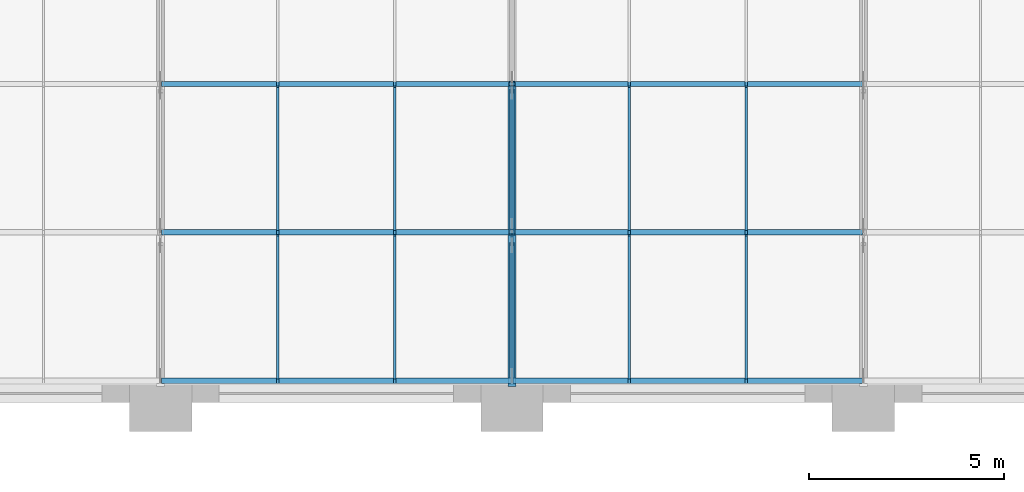
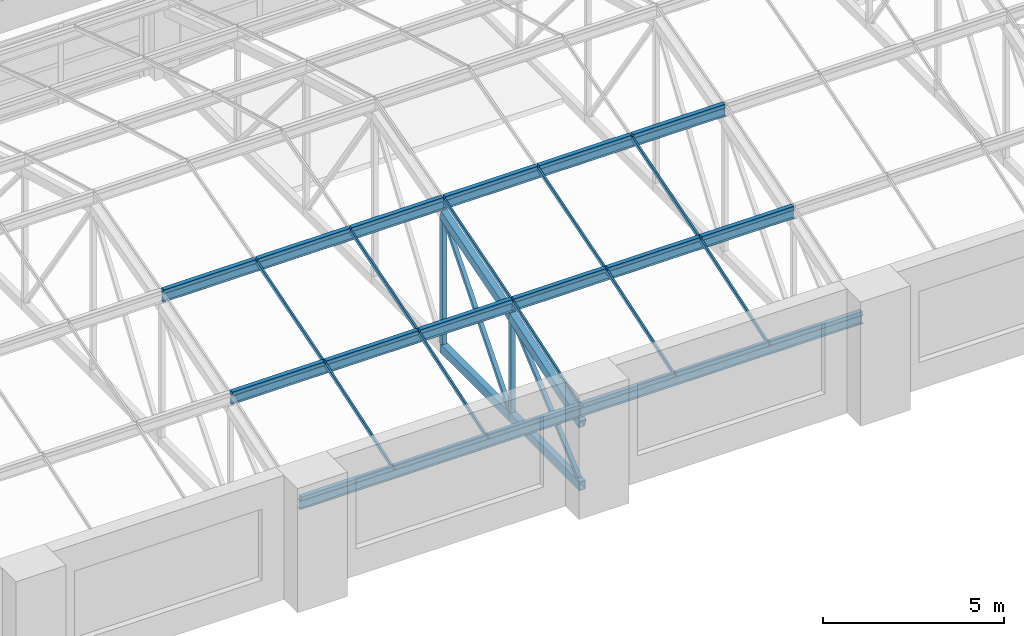
# One storey, part 12 of 82: 42 members, 1 element without a shape of its own.
"""IFC4 building model written with IfcOpenShell, lengths in metres."""

import ifcopenshell
import ifcopenshell.guid

model = None  # the IFC model being written
_history = None  # IfcOwnerHistory: only IFC2X3 demands one
_inside = {}  # id of a spatial element -> (the spatial element, [elements in it])
_under = {}  # id of a project, library or spatial element -> (it, [spatial elements below it])
_declared = {}  # id of a project -> (the project, [libraries it declares])
_typed = {}  # id of a type object -> (the type object, [elements of that type])
_made_of = {}  # id of a material, layer set ... -> (it, [elements and type objects made of it])


def new_model(schema):
    """Start an empty IFC model of exactly this schema.

    Asked for "IFC4X3", IfcOpenShell would pick the latest addendum, in which some entities
    have other attributes; the version numbers below select the first issue.
    IFC2X3 requires an IfcOwnerHistory on every rooted entity: one is made here for all.
    """
    global model, _history
    if schema == "IFC4X3":
        model = ifcopenshell.file(schema_version=(4, 3, 0, 0))
    else:
        model = ifcopenshell.file(schema=schema)
    _inside.clear()
    _under.clear()
    _declared.clear()
    _typed.clear()
    _made_of.clear()
    _history = None
    if model.schema == "IFC2X3":
        org = make("IfcOrganization", Name="unknown")
        user = make(
            "IfcPersonAndOrganization",
            ThePerson=make("IfcPerson", FamilyName="unknown"),
            TheOrganization=org,
        )
        app = make(
            "IfcApplication",
            ApplicationDeveloper=org,
            Version="unknown",
            ApplicationFullName="unknown",
            ApplicationIdentifier="unknown",
        )
        _history = make(
            "IfcOwnerHistory",
            OwningUser=user,
            OwningApplication=app,
            ChangeAction="ADDED",
            CreationDate=0,
        )
    return model


def make(cls, **values):
    """One entity of the class cls with the attributes given. An attribute that is None is left unset."""
    return model.create_entity(
        cls, **{name: value for name, value in values.items() if value is not None}
    )


def rooted(cls, **values):
    """An entity with a GlobalId (a new one), such as an element, a storey or a relation."""
    return make(cls, GlobalId=ifcopenshell.guid.new(), OwnerHistory=_history, **values)


def si_unit(unit_type, name, prefix=None):
    """IfcSIUnit, for example si_unit("LENGTHUNIT", "METRE", prefix="MILLI")."""
    return make("IfcSIUnit", UnitType=unit_type, Prefix=prefix, Name=name)


def assignment(units):
    """IfcUnitAssignment: the units of a project."""
    return None if units is None else make("IfcUnitAssignment", Units=units)


def point(xyz):
    """IfcCartesianPoint."""
    return None if xyz is None else make("IfcCartesianPoint", Coordinates=xyz)


def direction(xyz):
    """IfcDirection."""
    return None if xyz is None else make("IfcDirection", DirectionRatios=xyz)


def frame(location, z_axis=None, x_axis=None):
    """IfcAxis2Placement3D, a coordinate frame: its origin and axes. An axis left out is left unset."""
    return make(
        "IfcAxis2Placement3D",
        Location=point(location),
        Axis=direction(z_axis),
        RefDirection=direction(x_axis),
    )


def frame_2d(location, x_axis=None):
    """IfcAxis2Placement2D, a coordinate frame in the plane: its origin and x axis."""
    return make(
        "IfcAxis2Placement2D", Location=point(location), RefDirection=direction(x_axis)
    )


def origin():
    """The frame at (0, 0, 0) with its axes left unset."""
    return frame((0.0, 0.0, 0.0))


def origin_2d():
    """The frame at (0, 0) in the plane with its x axis left unset."""
    return frame_2d((0.0, 0.0))


def place(relative_to, where):
    """IfcLocalPlacement: puts the frame where relative to a parent placement (None: the world)."""
    return make(
        "IfcLocalPlacement", PlacementRelTo=relative_to, RelativePlacement=where
    )


def context(
    kind, dimensions, precision=None, world=None, true_north=None, identifier=None
):
    """IfcGeometricRepresentationContext, for example the 3D "Model" context."""
    return make(
        "IfcGeometricRepresentationContext",
        ContextIdentifier=identifier,
        ContextType=kind,
        CoordinateSpaceDimension=dimensions,
        Precision=precision,
        WorldCoordinateSystem=world,
        TrueNorth=true_north,
    )


def subcontext(parent, identifier, kind, view, scale=None):
    """IfcGeometricRepresentationSubContext, for example "Body" below "Model"."""
    return make(
        "IfcGeometricRepresentationSubContext",
        ContextIdentifier=identifier,
        ContextType=kind,
        ParentContext=parent,
        TargetScale=scale,
        TargetView=view,
    )


def project(units=None, contexts=None):
    """IfcProject with its units and contexts."""
    return rooted(
        "IfcProject",
        Name="project",
        RepresentationContexts=contexts,
        UnitsInContext=assignment(units),
    )


def spatial(cls, under=None, at=None, **own):
    """A site, building, storey or space (cls), placed at a placement, below another one or the project."""
    s = rooted(cls, ObjectPlacement=at, **own)
    if under is not None:
        _under.setdefault(under.id(), (under, []))[1].append(s)
    return s


def profile(cls, at=None, kind="AREA", **sizes):
    """A parametric profile (cls). Its sizes go by their IFC names, for example OverallWidth=200.0."""
    return make(cls, ProfileType=kind, Position=at, **sizes)


def rectangle(**sizes):
    """IfcRectangleProfileDef."""
    return profile("IfcRectangleProfileDef", **sizes)


def hollow_rectangle(**sizes):
    """IfcRectangleHollowProfileDef."""
    return profile("IfcRectangleHollowProfileDef", **sizes)


def i_section(**sizes):
    """IfcIShapeProfileDef."""
    return profile("IfcIShapeProfileDef", **sizes)


def extrude(swept, where, along, depth):
    """IfcExtrudedAreaSolid: the profile swept, set in the frame where, extruded along a direction by depth."""
    return make(
        "IfcExtrudedAreaSolid",
        SweptArea=swept,
        Position=where,
        ExtrudedDirection=direction(along),
        Depth=depth,
    )


def shape(context_of_items, identifier, shape_type, items):
    """IfcShapeRepresentation: the items that make up one representation, for example the "Body"."""
    return make(
        "IfcShapeRepresentation",
        ContextOfItems=context_of_items,
        RepresentationIdentifier=identifier,
        RepresentationType=shape_type,
        Items=items,
    )


def material(Name=None, Category=None):
    """IfcMaterial."""
    return make("IfcMaterial", Name=Name, Category=Category)


def material_profile(
    of_material, cross_section, Name=None, Category=None, Priority=None
):
    """IfcMaterialProfile: a cross section and its material."""
    return make(
        "IfcMaterialProfile",
        Name=Name,
        Material=of_material,
        Profile=cross_section,
        Priority=Priority,
        Category=Category,
    )


def profile_set(profiles, Name=None, composite=None):
    """IfcMaterialProfileSet."""
    return make(
        "IfcMaterialProfileSet",
        Name=Name,
        MaterialProfiles=profiles,
        CompositeProfile=composite,
    )


def made_of(thing, what):
    """Note that an element or type object is made of a material, layer set ...; save() writes the relation."""
    if what is not None:
        _made_of.setdefault(what.id(), (what, []))[1].append(thing)
    return thing


def type_object(cls, material=None, **own):
    """A type object (cls), such as IfcWallType, which elements share."""
    return made_of(rooted(cls, **own), material)


def element(
    cls,
    number,
    at=None,
    inside=None,
    cuts=None,
    type_object=None,
    material=None,
    context=None,
    identifier="Body",
    shape_type=None,
    held_by="IfcProductDefinitionShape",
    body=None,
    shapes=None,
    **own,
):
    """One element of the class cls, such as IfcWall. Its Tag is "e" and its number.

    at: its placement. inside: the storey or other place that contains it. cuts: it is an
    opening in that element (IfcRelVoidsElement). A single representation is given by context,
    identifier, shape_type and body (its items); several are given by shapes. held_by: the class
    of the entity that holds the representations. save() writes the other relations.
    """
    e = rooted(cls, Tag="e%d" % number, ObjectPlacement=at, **own)
    if body is not None:
        shapes = [shape(context, identifier, shape_type, body)]
    if shapes is not None:
        e.Representation = make(held_by, Representations=shapes)
    if inside is not None:
        _inside.setdefault(inside.id(), (inside, []))[1].append(e)
    if cuts is not None:
        rooted(
            "IfcRelVoidsElement", RelatingBuildingElement=cuts, RelatedOpeningElement=e
        )
    if type_object is not None:
        _typed.setdefault(type_object.id(), (type_object, []))[1].append(e)
    return made_of(e, material)


def aggregate(whole, parts):
    """IfcRelAggregates: a whole, such as a stair, and the parts it consists of."""
    return rooted("IfcRelAggregates", RelatingObject=whole, RelatedObjects=parts)


def save(model, path):
    """Write the relations noted so far, then the file.

    IfcRelAggregates (storeys below a building ...), IfcRelContainedInSpatialStructure (elements
    in a storey), IfcRelDefinesByType, IfcRelAssociatesMaterial and IfcRelDeclares: one each for
    every whole, place, type object, material and project.
    """
    for whole, parts in _under.values():
        aggregate(whole, parts)
    for where, things in _inside.values():
        rooted(
            "IfcRelContainedInSpatialStructure",
            RelatedElements=things,
            RelatingStructure=where,
        )
    for kind, things in _typed.values():
        rooted("IfcRelDefinesByType", RelatedObjects=things, RelatingType=kind)
    for what, things in _made_of.values():
        rooted("IfcRelAssociatesMaterial", RelatedObjects=things, RelatingMaterial=what)
    for by, libraries in _declared.values():
        rooted("IfcRelDeclares", RelatingContext=by, RelatedDefinitions=libraries)
    model.write(path)


model = new_model("IFC4")

# Units and contexts
model_context = context("Model", 3, precision=1e-05, world=origin(), true_north=direction((0.0, 1.0)))
body_context = subcontext(model_context, "Body", "Model", "MODEL_VIEW")
ifc_project = project(units=[si_unit("LENGTHUNIT", "METRE"), si_unit("AREAUNIT", "SQUARE_METRE"), si_unit("VOLUMEUNIT", "CUBIC_METRE"), si_unit("PLANEANGLEUNIT", "RADIAN"), si_unit("MASSUNIT", "GRAM", prefix="KILO")], contexts=[model_context])

# Site, building, storey
site_placement = place(None, origin())
site = spatial("IfcSite", under=ifc_project, at=site_placement, CompositionType="ELEMENT")
building_placement = place(site_placement, origin())
building = spatial("IfcBuilding", under=site, at=building_placement, Name="Aravalli Gate Trade Fair Centre", CompositionType="ELEMENT")
storey_placement = place(building_placement, frame((0.0, 0.0, 19.199951171875)))
storey = spatial("IfcBuildingStorey", under=building, at=storey_placement, Name="L04", CompositionType="ELEMENT", Elevation=19.199951171875)

# Members
ifc_material_1 = material(Name="Steel E350", Category="steel")
ifc_material_profile_1 = material_profile(ifc_material_1, i_section(OverallWidth=0.139892578125, OverallDepth=0.300048828125, WebThickness=0.0078125, FlangeThickness=0.01318359375, at=origin_2d()), Name="ISMB 300")
ifc_profile_set_1 = profile_set([ifc_material_profile_1], Name="Steel E350")
member_type_1 = type_object("IfcMemberType", Name="ISMB 300 roof purlin", PredefinedType="PURLIN", material=ifc_profile_set_1)
for number, where, z_axis, x_axis, name in (
    (1, (42.0, 109.699951171875, 2.60302734375), (1.0, 0.0, 0.0), (0.0, 1.0, 0.0), "Vault purlin 05-06 F0"),
    (2, (42.0, 113.5, 3.851318359375), (1.0, 0.0, 0.0), (0.0, 1.0, 0.0), "Vault purlin 05-06 F1"),
    (3, (42.0, 117.300048828125, 4.999267578125), (1.0, 0.0, 0.0), (0.0, 1.0, 0.0), "Vault purlin 05-06 F2"),
    (4, (51.0, 109.699951171875, 2.60302734375), (1.0, 0.0, 0.0), (0.0, 1.0, 0.0), "Vault purlin 06-07 F0"),
    (5, (51.0, 113.5, 3.851318359375), (1.0, 0.0, 0.0), (0.0, 1.0, 0.0), "Vault purlin 06-07 F1"),
    (6, (51.0, 117.300048828125, 4.999267578125), (1.0, 0.0, 0.0), (0.0, 1.0, 0.0), "Vault purlin 06-07 F2"),
):
    element("IfcMember", number, at=place(storey_placement, frame(where, z_axis=z_axis, x_axis=x_axis)), inside=storey, type_object=member_type_1, Name=name, PredefinedType="PURLIN", context=body_context, shape_type="SweptSolid", body=[
        extrude(i_section(OverallWidth=0.139892578125, OverallDepth=0.300048828125, WebThickness=0.0078125, FlangeThickness=0.01318359375, at=origin_2d()), origin(), (0.0, 0.0, 1.0), 9.0),
    ])
ifc_material_profile_2 = material_profile(ifc_material_1, hollow_rectangle(XDim=0.199951171875, YDim=0.300048828125, WallThickness=0.011962890625, at=origin_2d()), Name="RHS 300x200x12")
ifc_profile_set_2 = profile_set([ifc_material_profile_2], Name="Steel E350")
member_type_2 = type_object("IfcMemberType", Name="RHS 300x200x12 CT1 truss chord", PredefinedType="CHORD", material=ifc_profile_set_2)
member_1_placement = place(storey_placement, frame((51.0, 109.60009765625, 2.2392578125), z_axis=(0.0, 0.949918822061, 0.312496770373), x_axis=(-1.0, 0.0, 0.0)))
element("IfcMember", 7, at=member_1_placement, inside=storey, type_object=member_type_2, Name="Concourse vault truss CT1 line 06 top chord T1", PredefinedType="CHORD", context=body_context, shape_type="SweptSolid", body=[
    extrude(hollow_rectangle(XDim=0.199951171875, YDim=0.300048828125, WallThickness=0.011962890625, at=origin_2d()), origin(), (0.0, 0.0, 1.0), 4.10546875),
])
member_2_placement = place(storey_placement, frame((51.0, 109.60009765625, 0.150146484375), z_axis=(0.0, 1.0, 0.0), x_axis=(-1.0, 0.0, 0.0)))
element("IfcMember", 8, at=member_2_placement, inside=storey, type_object=member_type_2, Name="Concourse vault truss CT1 line 06 bottom chord B1", PredefinedType="CHORD", context=body_context, shape_type="SweptSolid", body=[
    extrude(hollow_rectangle(XDim=0.199951171875, YDim=0.300048828125, WallThickness=0.011962890625, at=origin_2d()), origin(), (0.0, 0.0, 1.0), 3.89990234375),
])
member_3_placement = place(storey_placement, frame((51.0, 113.5, 3.5234375), z_axis=(0.0, 0.957138110877, 0.289631898634), x_axis=(-1.0, 0.0, 0.0)))
element("IfcMember", 9, at=member_3_placement, inside=storey, type_object=member_type_2, Name="Concourse vault truss CT1 line 06 top chord T2", PredefinedType="CHORD", context=body_context, shape_type="SweptSolid", body=[
    extrude(hollow_rectangle(XDim=0.199951171875, YDim=0.300048828125, WallThickness=0.011962890625, at=origin_2d()), origin(), (0.0, 0.0, 1.0), 3.97021484375),
])
member_4_placement = place(storey_placement, frame((51.0, 113.5, 0.150146484375), z_axis=(0.0, 1.0, 0.0), x_axis=(-1.0, 0.0, 0.0)))
element("IfcMember", 10, at=member_4_placement, inside=storey, type_object=member_type_2, Name="Concourse vault truss CT1 line 06 bottom chord B2", PredefinedType="CHORD", context=body_context, shape_type="SweptSolid", body=[
    extrude(hollow_rectangle(XDim=0.199951171875, YDim=0.300048828125, WallThickness=0.011962890625, at=origin_2d()), origin(), (0.0, 0.0, 1.0), 3.800048828125),
])
ifc_material_profile_3 = material_profile(ifc_material_1, hollow_rectangle(XDim=0.125, YDim=0.125, WallThickness=0.006103515625, at=origin_2d()), Name="SHS 125x125x6")
ifc_profile_set_3 = profile_set([ifc_material_profile_3], Name="Steel E350")
member_type_3 = type_object("IfcMemberType", Name="SHS 125x125x6 CT1 truss diagonal", PredefinedType="BRACE", material=ifc_profile_set_3)
member_5_placement = place(storey_placement, frame((51.0, 109.7734375, 0.300048828125), z_axis=(0.0, 0.756430814482, 0.654073713661), x_axis=(-1.0, 0.0, 0.0)))
element("IfcMember", 11, at=member_5_placement, inside=storey, type_object=member_type_3, Name="Concourse vault truss CT1 line 06 diagonal D1", PredefinedType="BRACE", context=body_context, shape_type="SweptSolid", body=[
    extrude(hollow_rectangle(XDim=0.125, YDim=0.125, WallThickness=0.006103515625, at=origin_2d()), origin(), (0.0, 0.0, 1.0), 4.53662109375),
])
member_6_placement = place(storey_placement, frame((51.0, 113.6259765625, 0.300048828125), z_axis=(0.0, 0.643253159982, 0.765653558845), x_axis=(-1.0, 0.0, 0.0)))
element("IfcMember", 12, at=member_6_placement, inside=storey, type_object=member_type_3, Name="Concourse vault truss CT1 line 06 diagonal D2", PredefinedType="BRACE", context=body_context, shape_type="SweptSolid", body=[
    extrude(hollow_rectangle(XDim=0.125, YDim=0.125, WallThickness=0.006103515625, at=origin_2d()), origin(), (0.0, 0.0, 1.0), 5.437255859375),
])
ifc_material_profile_4 = material_profile(ifc_material_1, hollow_rectangle(XDim=0.14990234375, YDim=0.14990234375, WallThickness=0.006103515625, at=origin_2d()), Name="SHS 150x150x6")
ifc_profile_set_4 = profile_set([ifc_material_profile_4], Name="Steel E350")
member_type_4 = type_object("IfcMemberType", Name="SHS 150x150x6 CT1 truss post", PredefinedType="POST", material=ifc_profile_set_4)
member_7_placement = place(storey_placement, frame((51.0, 113.5, 0.300048828125), z_axis=(0.0, 0.0, 1.0), x_axis=(1.0, 0.0, 0.0)))
element("IfcMember", 13, at=member_7_placement, inside=storey, type_object=member_type_4, Name="Concourse vault truss CT1 line 06 post V1", PredefinedType="POST", context=body_context, shape_type="SweptSolid", body=[
    extrude(hollow_rectangle(XDim=0.14990234375, YDim=0.14990234375, WallThickness=0.006103515625, at=origin_2d()), origin(), (0.0, 0.0, 1.0), 3.064208984375),
])
member_8_placement = place(storey_placement, frame((51.0, 117.300048828125, 0.300048828125), z_axis=(0.0, 0.0, 1.0), x_axis=(1.0, 0.0, 0.0)))
element("IfcMember", 14, at=member_8_placement, inside=storey, type_object=member_type_4, Name="Concourse vault truss CT1 line 06 post V2", PredefinedType="POST", context=body_context, shape_type="SweptSolid", body=[
    extrude(hollow_rectangle(XDim=0.14990234375, YDim=0.14990234375, WallThickness=0.006103515625, at=origin_2d()), origin(), (0.0, 0.0, 1.0), 4.216552734375),
])
ifc_material_2 = material(Name="Aluminium", Category="aluminium")
ifc_material_profile_5 = material_profile(ifc_material_2, rectangle(XDim=0.139892578125, YDim=0.1201171875, at=origin_2d()), Name="Vault fold cap 140 x 120")
ifc_profile_set_5 = profile_set([ifc_material_profile_5], Name="Aluminium")
member_type_5 = type_object("IfcMemberType", Name="Vault fold cap 140 x 120", PredefinedType="USERDEFINED", material=ifc_profile_set_5)
for number, where, z_axis, x_axis, name in (
    (15, (42.030029296875, 109.699951171875, 2.81298828125), (1.0, 0.0, 0.0), (0.0, 1.0, 0.0), "Vault fold cap w10.0"),
    (16, (42.030029296875, 113.5, 4.061279296875), (1.0, 0.0, 0.0), (0.0, 1.0, 0.0), "Vault fold cap w10.1"),
    (17, (42.030029296875, 117.300048828125, 5.209228515625), (1.0, 0.0, 0.0), (0.0, 1.0, 0.0), "Vault fold cap w10.2"),
    (18, (45.030029296875, 109.699951171875, 2.81298828125), (1.0, 0.0, 0.0), (0.0, 1.0, 0.0), "Vault fold cap w11.0"),
    (19, (45.030029296875, 113.5, 4.061279296875), (1.0, 0.0, 0.0), (0.0, 1.0, 0.0), "Vault fold cap w11.1"),
    (20, (45.030029296875, 117.300048828125, 5.209228515625), (1.0, 0.0, 0.0), (0.0, 1.0, 0.0), "Vault fold cap w11.2"),
    (21, (48.030029296875, 109.699951171875, 2.81298828125), (1.0, 0.0, 0.0), (0.0, 1.0, 0.0), "Vault fold cap w12.0"),
    (22, (48.030029296875, 113.5, 4.061279296875), (1.0, 0.0, 0.0), (0.0, 1.0, 0.0), "Vault fold cap w12.1"),
    (23, (48.030029296875, 117.300048828125, 5.209228515625), (1.0, 0.0, 0.0), (0.0, 1.0, 0.0), "Vault fold cap w12.2"),
    (24, (51.030029296875, 109.699951171875, 2.81298828125), (1.0, 0.0, 0.0), (0.0, 1.0, 0.0), "Vault fold cap w13.0"),
    (25, (51.030029296875, 113.5, 4.061279296875), (1.0, 0.0, 0.0), (0.0, 1.0, 0.0), "Vault fold cap w13.1"),
    (26, (51.030029296875, 117.300048828125, 5.209228515625), (1.0, 0.0, 0.0), (0.0, 1.0, 0.0), "Vault fold cap w13.2"),
    (27, (54.030029296875, 109.699951171875, 2.81298828125), (1.0, 0.0, 0.0), (0.0, 1.0, 0.0), "Vault fold cap w14.0"),
    (28, (54.030029296875, 113.5, 4.061279296875), (1.0, 0.0, 0.0), (0.0, 1.0, 0.0), "Vault fold cap w14.1"),
    (29, (54.030029296875, 117.300048828125, 5.209228515625), (1.0, 0.0, 0.0), (0.0, 1.0, 0.0), "Vault fold cap w14.2"),
    (30, (57.030029296875, 109.699951171875, 2.81298828125), (1.0, 0.0, 0.0), (0.0, 1.0, 0.0), "Vault fold cap w15.0"),
    (31, (57.030029296875, 113.5, 4.061279296875), (1.0, 0.0, 0.0), (0.0, 1.0, 0.0), "Vault fold cap w15.1"),
    (32, (57.030029296875, 117.300048828125, 5.209228515625), (1.0, 0.0, 0.0), (0.0, 1.0, 0.0), "Vault fold cap w15.2"),
):
    element("IfcMember", number, at=place(storey_placement, frame(where, z_axis=z_axis, x_axis=x_axis)), inside=storey, type_object=member_type_5, Name=name, ObjectType="FOLD CAP", PredefinedType="USERDEFINED", context=body_context, shape_type="SweptSolid", body=[
        extrude(rectangle(XDim=0.139892578125, YDim=0.1201171875, at=origin_2d()), origin(), (0.0, 0.0, 1.0), 2.93994140625),
    ])

# Curtain wall, members
ifc_material_3 = material(Name="Aluminium and glass", Category="aluminium")
curtain_wall_type = type_object("IfcCurtainWallType", Name="Vault curtain wall, sloped glazing", PredefinedType="NOTDEFINED", material=ifc_material_3)
curtain_wall_placement = place(storey_placement, origin())
curtain_wall = element("IfcCurtainWall", 33, at=curtain_wall_placement, inside=storey, type_object=curtain_wall_type, Name="Vault curtain wall w", PredefinedType="NOTDEFINED")
ifc_material_profile_6 = material_profile(ifc_material_2, rectangle(XDim=0.06005859375, YDim=0.1201171875, at=origin_2d()), Name="Vault glazing bar 60 x 120")
ifc_profile_set_6 = profile_set([ifc_material_profile_6], Name="Aluminium")
member_type_6 = type_object("IfcMemberType", Name="Vault glazing bar 60 x 120", PredefinedType="USERDEFINED", material=ifc_profile_set_6)
member_9_placement = place(storey_placement, frame((45.0, 109.77001953125, 2.81005859375), z_axis=(0.0, 0.949930492103, 0.31246129388), x_axis=(-1.0, 0.0, 0.0)))
member_9 = element("IfcMember", 34, at=member_9_placement, type_object=member_type_6, Name="Vault glazing bar w11.1", ObjectType="GLAZING BAR", PredefinedType="USERDEFINED", context=body_context, shape_type="SweptSolid", body=[
    extrude(rectangle(XDim=0.06005859375, YDim=0.1201171875, at=origin_2d()), origin(), (0.0, 0.0, 1.0), 3.852783203125),
])
member_10_placement = place(storey_placement, frame((45.0, 113.570068359375, 4.05859375), z_axis=(0.0, 0.957125834694, 0.289672464279), x_axis=(-1.0, 0.0, 0.0)))
member_10 = element("IfcMember", 35, at=member_10_placement, type_object=member_type_6, Name="Vault glazing bar w11.2", ObjectType="GLAZING BAR", PredefinedType="USERDEFINED", context=body_context, shape_type="SweptSolid", body=[
    extrude(rectangle(XDim=0.06005859375, YDim=0.1201171875, at=origin_2d()), origin(), (0.0, 0.0, 1.0), 3.823974609375),
])
member_11_placement = place(storey_placement, frame((48.0, 109.77001953125, 2.81005859375), z_axis=(0.0, 0.949930492103, 0.31246129388), x_axis=(-1.0, 0.0, 0.0)))
member_11 = element("IfcMember", 36, at=member_11_placement, type_object=member_type_6, Name="Vault glazing bar w12.1", ObjectType="GLAZING BAR", PredefinedType="USERDEFINED", context=body_context, shape_type="SweptSolid", body=[
    extrude(rectangle(XDim=0.06005859375, YDim=0.1201171875, at=origin_2d()), origin(), (0.0, 0.0, 1.0), 3.852783203125),
])
member_12_placement = place(storey_placement, frame((48.0, 113.570068359375, 4.05859375), z_axis=(0.0, 0.957125834694, 0.289672464279), x_axis=(-1.0, 0.0, 0.0)))
member_12 = element("IfcMember", 37, at=member_12_placement, type_object=member_type_6, Name="Vault glazing bar w12.2", ObjectType="GLAZING BAR", PredefinedType="USERDEFINED", context=body_context, shape_type="SweptSolid", body=[
    extrude(rectangle(XDim=0.06005859375, YDim=0.1201171875, at=origin_2d()), origin(), (0.0, 0.0, 1.0), 3.823974609375),
])
member_13_placement = place(storey_placement, frame((51.0, 109.77001953125, 2.81005859375), z_axis=(0.0, 0.949930492103, 0.31246129388), x_axis=(-1.0, 0.0, 0.0)))
member_13 = element("IfcMember", 38, at=member_13_placement, type_object=member_type_6, Name="Vault glazing bar w13.1", ObjectType="GLAZING BAR", PredefinedType="USERDEFINED", context=body_context, shape_type="SweptSolid", body=[
    extrude(rectangle(XDim=0.06005859375, YDim=0.1201171875, at=origin_2d()), origin(), (0.0, 0.0, 1.0), 3.852783203125),
])
member_14_placement = place(storey_placement, frame((51.0, 113.570068359375, 4.05859375), z_axis=(0.0, 0.957125834694, 0.289672464279), x_axis=(-1.0, 0.0, 0.0)))
member_14 = element("IfcMember", 39, at=member_14_placement, type_object=member_type_6, Name="Vault glazing bar w13.2", ObjectType="GLAZING BAR", PredefinedType="USERDEFINED", context=body_context, shape_type="SweptSolid", body=[
    extrude(rectangle(XDim=0.06005859375, YDim=0.1201171875, at=origin_2d()), origin(), (0.0, 0.0, 1.0), 3.823974609375),
])
member_15_placement = place(storey_placement, frame((54.0, 109.77001953125, 2.81005859375), z_axis=(0.0, 0.949930492103, 0.31246129388), x_axis=(-1.0, 0.0, 0.0)))
member_15 = element("IfcMember", 40, at=member_15_placement, type_object=member_type_6, Name="Vault glazing bar w14.1", ObjectType="GLAZING BAR", PredefinedType="USERDEFINED", context=body_context, shape_type="SweptSolid", body=[
    extrude(rectangle(XDim=0.06005859375, YDim=0.1201171875, at=origin_2d()), origin(), (0.0, 0.0, 1.0), 3.852783203125),
])
member_16_placement = place(storey_placement, frame((54.0, 113.570068359375, 4.05859375), z_axis=(0.0, 0.957125834694, 0.289672464279), x_axis=(-1.0, 0.0, 0.0)))
member_16 = element("IfcMember", 41, at=member_16_placement, type_object=member_type_6, Name="Vault glazing bar w14.2", ObjectType="GLAZING BAR", PredefinedType="USERDEFINED", context=body_context, shape_type="SweptSolid", body=[
    extrude(rectangle(XDim=0.06005859375, YDim=0.1201171875, at=origin_2d()), origin(), (0.0, 0.0, 1.0), 3.823974609375),
])
member_17_placement = place(storey_placement, frame((57.0, 109.77001953125, 2.81005859375), z_axis=(0.0, 0.949930492103, 0.31246129388), x_axis=(-1.0, 0.0, 0.0)))
member_17 = element("IfcMember", 42, at=member_17_placement, type_object=member_type_6, Name="Vault glazing bar w15.1", ObjectType="GLAZING BAR", PredefinedType="USERDEFINED", context=body_context, shape_type="SweptSolid", body=[
    extrude(rectangle(XDim=0.06005859375, YDim=0.1201171875, at=origin_2d()), origin(), (0.0, 0.0, 1.0), 3.852783203125),
])
member_18_placement = place(storey_placement, frame((57.0, 113.570068359375, 4.05859375), z_axis=(0.0, 0.957125834694, 0.289672464279), x_axis=(-1.0, 0.0, 0.0)))
member_18 = element("IfcMember", 43, at=member_18_placement, type_object=member_type_6, Name="Vault glazing bar w15.2", ObjectType="GLAZING BAR", PredefinedType="USERDEFINED", context=body_context, shape_type="SweptSolid", body=[
    extrude(rectangle(XDim=0.06005859375, YDim=0.1201171875, at=origin_2d()), origin(), (0.0, 0.0, 1.0), 3.823974609375),
])
aggregate(curtain_wall, [member_9, member_10, member_11, member_12, member_13, member_14, member_15, member_16, member_17, member_18])

save(model, "model.ifc")
